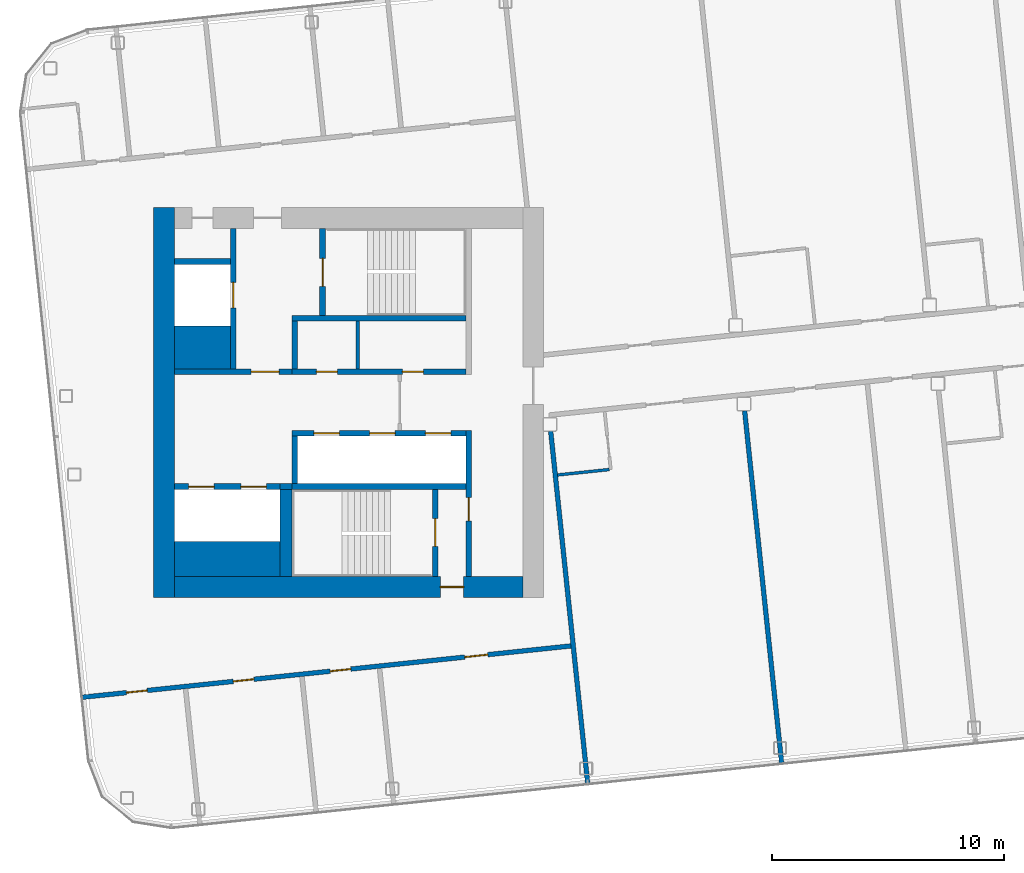
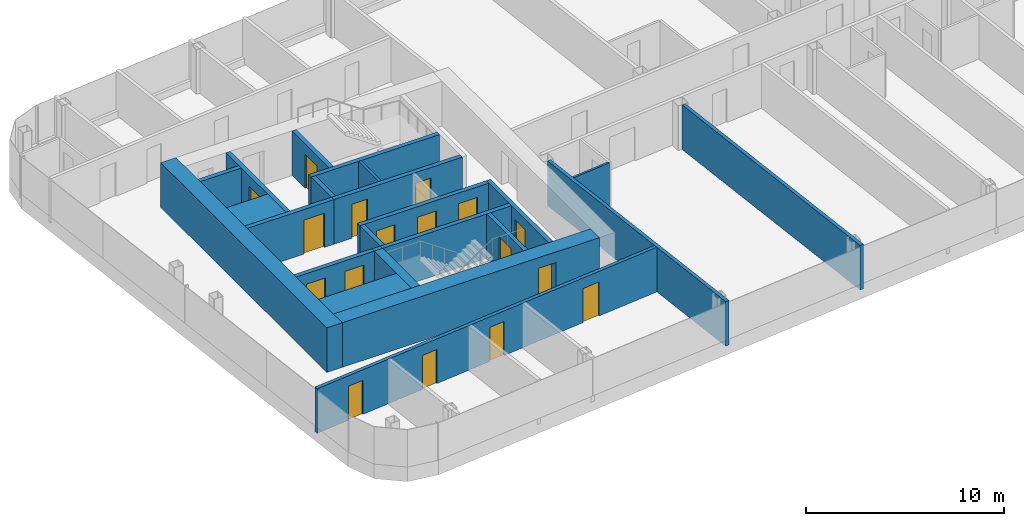
# One storey, part 14 of 27: 24 walls, 17 doors, 17 openings.
"""IFC4 building model written with IfcOpenShell, lengths in metres."""

from ifc_helpers import new_model, si_unit, direction, frame, frame_2d, origin, place, context, subcontext, project, spatial, rectangle, extrude, material, layer, layer_set, type_object, element, fill, save


model = new_model("IFC4")

# Units and contexts
model_context = context("Model", 3, precision=1e-05, world=origin(), true_north=direction((0.0, 1.0)))
body_context = subcontext(model_context, "Body", "Model", "MODEL_VIEW")
ifc_project = project(units=[si_unit("LENGTHUNIT", "METRE"), si_unit("AREAUNIT", "SQUARE_METRE"), si_unit("VOLUMEUNIT", "CUBIC_METRE"), si_unit("PLANEANGLEUNIT", "RADIAN"), si_unit("MASSUNIT", "GRAM", prefix="KILO")], contexts=[model_context])

# Site, building, storey
site_placement = place(None, origin())
site = spatial("IfcSite", under=ifc_project, at=site_placement, CompositionType="ELEMENT")
building_placement = place(site_placement, origin())
building = spatial("IfcBuilding", under=site, at=building_placement, Name="Hakoniwa Tower and Hamabe Station Hall", CompositionType="ELEMENT")
storey_placement = place(building_placement, frame((0.0, 0.0, 248.60009765625)))
storey = spatial("IfcBuildingStorey", under=building, at=storey_placement, Name="L70", CompositionType="ELEMENT", Elevation=248.60009765625)

# Walls
ifc_material_1 = material(Name="Gypsum board partition")
ifc_layer_1 = layer(ifc_material_1, 0.14990234375)
ifc_layer_set_1 = layer_set([ifc_layer_1], Name="CORE PARTITION 150 EI 60")
wall_type_1 = type_object("IfcWallType", Name="CORE PARTITION 150 EI 60", PredefinedType="PARTITIONING", material=ifc_layer_set_1)
wall_1_placement = place(storey_placement, frame((-24.800048828125, 1.449951171875, 0.0), z_axis=(0.0, 0.0, 1.0), x_axis=(0.0, 1.0, 0.0)))
element("IfcWall", 1, at=wall_1_placement, inside=storey, type_object=wall_type_1, Name="Core partition PFLR0 west", PredefinedType="PARTITIONING", context=body_context, shape_type="SweptSolid", body=[
    extrude(rectangle(XDim=2.050048828125, YDim=0.14990234375, at=frame_2d((1.02490234375, 0.0))), origin(), (0.0, 0.0, 1.0), 2.75),
])
ifc_material_2 = material(Name="Concrete C60", Category="concrete")
ifc_layer_2 = layer(ifc_material_2, 0.89990234375)
ifc_layer_set_2 = layer_set([ifc_layer_2], Name="CORE WALL 900 C60")
wall_type_2 = type_object("IfcWallType", Name="CORE WALL 900 C60", PredefinedType="SHEAR", material=ifc_layer_set_2)
wall_2_placement = place(storey_placement, frame((-33.14990234375, -8.39990234375, 0.0), z_axis=(0.0, 0.0, 1.0), x_axis=(0.0, 1.0, 0.0)))
element("IfcWall", 2, at=wall_2_placement, inside=storey, type_object=wall_type_2, Name="Core wall OUTER west", PredefinedType="SHEAR", context=body_context, shape_type="SweptSolid", body=[
    extrude(rectangle(XDim=16.7998046875, YDim=0.89990234375, at=frame_2d((8.39990234375, 0.0))), origin(), (0.0, 0.0, 1.0), 2.75),
])

# Wall, opening, door
wall_3_placement = place(storey_placement, frame((-32.699951171875, -7.949951171875, 0.0), z_axis=(0.0, 0.0, 1.0), x_axis=(1.0, 0.0, 0.0)))
wall_3 = element("IfcWall", 3, at=wall_3_placement, inside=storey, type_object=wall_type_2, Name="Core wall SOUTH west", PredefinedType="SHEAR", context=body_context, shape_type="SweptSolid", body=[
    extrude(rectangle(XDim=15.0, YDim=0.89990234375, at=frame_2d((7.5, 0.0))), origin(), (0.0, 0.0, 1.0), 2.75),
])
opening_1_placement = place(wall_3_placement, frame((11.449951171875, 0.0, 0.0)))
opening_1 = element("IfcOpeningElement", 4, at=opening_1_placement, cuts=wall_3, Name="Opening CD-W-FS3-10", PredefinedType="OPENING", context=body_context, shape_type="SweptSolid", body=[
    extrude(rectangle(XDim=1.0, YDim=2.10009765625, at=frame_2d((0.5, 1.050048828125))), frame((0.0, 0.4599609375, 0.0), z_axis=(0.0, -1.0, 0.0), x_axis=(1.0, 0.0, 0.0)), (0.0, 0.0, 1.0), 0.919921875),
])
ifc_material_3 = material(Name="Steel fire door", Category="steel")
door_type_1 = type_object("IfcDoorType", Name="CORE DOOR 1000 FD60", OperationType="NOTDEFINED", PredefinedType="DOOR", material=ifc_material_3)
door_1_placement = place(opening_1_placement, origin())
door_1 = element("IfcDoor", 5, at=door_1_placement, inside=storey, type_object=door_type_1, Name="Stair vestibule door", OperationType="SINGLE_SWING_RIGHT", OverallHeight=2.10009765625, OverallWidth=1.0, PredefinedType="DOOR", context=body_context, shape_type="SweptSolid", body=[
    extrude(rectangle(XDim=1.0, YDim=2.10009765625, at=frame_2d((0.5, 1.050048828125))), frame((0.0, 0.02490234375, 0.0), z_axis=(0.0, -1.0, 0.0), x_axis=(1.0, 0.0, 0.0)), (0.0, 0.0, 1.0), 0.050048828125),
])
fill(opening_1, door_1)

# Walls
ifc_material_4 = material(Name="Concrete C60", Category="concrete")
ifc_layer_3 = layer(ifc_material_4, 1.5)
ifc_layer_set_3 = layer_set([ifc_layer_3], Name="CORE WEB WALL 1500 C60")
wall_type_3 = type_object("IfcWallType", Name="CORE WEB WALL 1500 C60", PredefinedType="SHEAR", material=ifc_layer_set_3)
wall_4_placement = place(storey_placement, frame((-32.699951171875, -6.75, 0.0), z_axis=(0.0, 0.0, 1.0), x_axis=(1.0, 0.0, 0.0)))
element("IfcWall", 6, at=wall_4_placement, inside=storey, type_object=wall_type_3, Name="Core wall SER west", PredefinedType="SHEAR", context=body_context, shape_type="SweptSolid", body=[
    extrude(rectangle(XDim=4.550048828125, YDim=1.5, at=frame_2d((2.27490234375, 0.0))), origin(), (0.0, 0.0, 1.0), 2.75),
])
ifc_material_5 = material(Name="Concrete C60", Category="concrete")
ifc_layer_4 = layer(ifc_material_5, 1.85009765625)
ifc_layer_set_4 = layer_set([ifc_layer_4], Name="CORE WEB WALL 1850 C60")
wall_type_4 = type_object("IfcWallType", Name="CORE WEB WALL 1850 C60", PredefinedType="SHEAR", material=ifc_layer_set_4)
wall_5_placement = place(storey_placement, frame((-32.699951171875, 2.375, 0.0), z_axis=(0.0, 0.0, 1.0), x_axis=(1.0, 0.0, 0.0)))
element("IfcWall", 7, at=wall_5_placement, inside=storey, type_object=wall_type_4, Name="Core wall CA west", PredefinedType="SHEAR", context=body_context, shape_type="SweptSolid", body=[
    extrude(rectangle(XDim=2.39990234375, YDim=1.85009765625, at=frame_2d((1.199951171875, 0.0))), origin(), (0.0, 0.0, 1.0), 2.75),
])

# Wall, opening, door
ifc_material_6 = material(Name="Concrete C60", Category="concrete")
ifc_layer_5 = layer(ifc_material_6, 0.25)
ifc_layer_set_5 = layer_set([ifc_layer_5], Name="CORE WEB WALL 250 C60")
wall_type_5 = type_object("IfcWallType", Name="CORE WEB WALL 250 C60", PredefinedType="SHEAR", material=ifc_layer_set_5)
wall_6_placement = place(storey_placement, frame((-20.02490234375, -7.5, 0.0), z_axis=(0.0, 0.0, 1.0), x_axis=(0.0, 1.0, 0.0)))
wall_6 = element("IfcWall", 8, at=wall_6_placement, inside=storey, type_object=wall_type_5, Name="Core wall W1S west", PredefinedType="SHEAR", context=body_context, shape_type="SweptSolid", body=[
    extrude(rectangle(XDim=6.300048828125, YDim=0.25, at=frame_2d((3.14990234375, 0.0))), origin(), (0.0, 0.0, 1.0), 2.75),
])
opening_2_placement = place(wall_6_placement, frame((2.39990234375, 0.0, 0.0)))
opening_2 = element("IfcOpeningElement", 9, at=opening_2_placement, cuts=wall_6, Name="Opening CD-W-VS-10", PredefinedType="OPENING", context=body_context, shape_type="SweptSolid", body=[
    extrude(rectangle(XDim=1.0, YDim=2.10009765625, at=frame_2d((0.5, 1.050048828125))), frame((0.0, 0.135009765625, 0.0), z_axis=(0.0, -1.0, 0.0), x_axis=(1.0, 0.0, 0.0)), (0.0, 0.0, 1.0), 0.27001953125),
])
door_2_placement = place(opening_2_placement, origin())
door_2 = element("IfcDoor", 10, at=door_2_placement, inside=storey, type_object=door_type_1, Name="Stair vestibule door", OperationType="SINGLE_SWING_LEFT", OverallHeight=2.10009765625, OverallWidth=1.0, PredefinedType="DOOR", context=body_context, shape_type="SweptSolid", body=[
    extrude(rectangle(XDim=1.0, YDim=2.10009765625, at=frame_2d((0.5, 1.050048828125))), frame((0.0, 0.02490234375, 0.0), z_axis=(0.0, -1.0, 0.0), x_axis=(1.0, 0.0, 0.0)), (0.0, 0.0, 1.0), 0.050048828125),
])
fill(opening_2, door_2)

# Wall, openings, doors
wall_7_placement = place(storey_placement, frame((-27.64990234375, 1.324951171875, 0.0), z_axis=(0.0, 0.0, 1.0), x_axis=(1.0, 0.0, 0.0)))
wall_7 = element("IfcWall", 11, at=wall_7_placement, inside=storey, type_object=wall_type_5, Name="Core wall NF west", PredefinedType="SHEAR", context=body_context, shape_type="SweptSolid", body=[
    extrude(rectangle(XDim=7.5, YDim=0.25, at=frame_2d((3.75, 0.0))), origin(), (0.0, 0.0, 1.0), 2.75),
])
opening_3_placement = place(wall_7_placement, frame((4.762451171875, 0.0, 0.0)))
opening_3 = element("IfcOpeningElement", 12, at=opening_3_placement, cuts=wall_7, Name="Opening CD-W-FRLR0-9", PredefinedType="OPENING", context=body_context, shape_type="SweptSolid", body=[
    extrude(rectangle(XDim=0.89990234375, YDim=2.10009765625, at=frame_2d((0.449951171875, 1.050048828125))), frame((0.0, 0.135009765625, 0.0), z_axis=(0.0, -1.0, 0.0), x_axis=(1.0, 0.0, 0.0)), (0.0, 0.0, 1.0), 0.27001953125),
])
opening_4_placement = place(wall_7_placement, frame((1.0625, 0.0, 0.0)))
opening_4 = element("IfcOpeningElement", 13, at=opening_4_placement, cuts=wall_7, Name="Opening CD-W-FRLR1-9", PredefinedType="OPENING", context=body_context, shape_type="SweptSolid", body=[
    extrude(rectangle(XDim=0.89990234375, YDim=2.10009765625, at=frame_2d((0.449951171875, 1.050048828125))), frame((0.0, 0.135009765625, 0.0), z_axis=(0.0, -1.0, 0.0), x_axis=(1.0, 0.0, 0.0)), (0.0, 0.0, 1.0), 0.27001953125),
])
ifc_material_7 = material(Name="Steel fire door", Category="steel")
door_type_2 = type_object("IfcDoorType", Name="CORE DOOR 900 FD30", OperationType="NOTDEFINED", PredefinedType="DOOR", material=ifc_material_7)
door_3_placement = place(opening_3_placement, origin())
door_3 = element("IfcDoor", 14, at=door_3_placement, inside=storey, type_object=door_type_2, Name="Store room door", OperationType="SINGLE_SWING_LEFT", OverallHeight=2.10009765625, OverallWidth=0.89990234375, PredefinedType="DOOR", context=body_context, shape_type="SweptSolid", body=[
    extrude(rectangle(XDim=0.89990234375, YDim=2.10009765625, at=frame_2d((0.449951171875, 1.050048828125))), frame((0.0, 0.02490234375, 0.0), z_axis=(0.0, -1.0, 0.0), x_axis=(1.0, 0.0, 0.0)), (0.0, 0.0, 1.0), 0.050048828125),
])
fill(opening_3, door_3)
door_4_placement = place(opening_4_placement, origin())
door_4 = element("IfcDoor", 15, at=door_4_placement, inside=storey, type_object=door_type_2, Name="Store room door", OperationType="SINGLE_SWING_RIGHT", OverallHeight=2.10009765625, OverallWidth=0.89990234375, PredefinedType="DOOR", context=body_context, shape_type="SweptSolid", body=[
    extrude(rectangle(XDim=0.89990234375, YDim=2.10009765625, at=frame_2d((0.449951171875, 1.050048828125))), frame((0.0, 0.02490234375, 0.0), z_axis=(0.0, -1.0, 0.0), x_axis=(1.0, 0.0, 0.0)), (0.0, 0.0, 1.0), 0.050048828125),
])
fill(opening_4, door_4)

# Walls
wall_8_placement = place(storey_placement, frame((-27.52490234375, 1.449951171875, 0.0), z_axis=(0.0, 0.0, 1.0), x_axis=(0.0, 1.0, 0.0)))
element("IfcWall", 16, at=wall_8_placement, inside=storey, type_object=wall_type_5, Name="Core wall NE west", PredefinedType="SHEAR", context=body_context, shape_type="SweptSolid", body=[
    extrude(rectangle(XDim=2.050048828125, YDim=0.25, at=frame_2d((1.02490234375, 0.0))), origin(), (0.0, 0.0, 1.0), 2.75),
])
wall_9_placement = place(storey_placement, frame((-27.64990234375, 3.625, 0.0), z_axis=(0.0, 0.0, 1.0), x_axis=(1.0, 0.0, 0.0)))
element("IfcWall", 17, at=wall_9_placement, inside=storey, type_object=wall_type_5, Name="Core wall NR west", PredefinedType="SHEAR", context=body_context, shape_type="SweptSolid", body=[
    extrude(rectangle(XDim=7.5, YDim=0.25, at=frame_2d((3.75, 0.0))), origin(), (0.0, 0.0, 1.0), 2.75),
])

# Wall, opening, door
wall_10_placement = place(storey_placement, frame((-26.324951171875, 3.75, 0.0), z_axis=(0.0, 0.0, 1.0), x_axis=(0.0, 1.0, 0.0)))
wall_10 = element("IfcWall", 18, at=wall_10_placement, inside=storey, type_object=wall_type_5, Name="Core wall NSE west", PredefinedType="SHEAR", context=body_context, shape_type="SweptSolid", body=[
    extrude(rectangle(XDim=3.75, YDim=0.25, at=frame_2d((1.875, 0.0))), origin(), (0.0, 0.0, 1.0), 2.75),
])
opening_5_placement = place(wall_10_placement, frame((1.25, 0.0, 0.0)))
opening_5 = element("IfcOpeningElement", 19, at=opening_5_placement, cuts=wall_10, Name="Opening CD-W-SN-12", PredefinedType="OPENING", context=body_context, shape_type="SweptSolid", body=[
    extrude(rectangle(XDim=1.199951171875, YDim=2.10009765625, at=frame_2d((0.60009765625, 1.050048828125))), frame((0.0, 0.135009765625, 0.0), z_axis=(0.0, -1.0, 0.0), x_axis=(1.0, 0.0, 0.0)), (0.0, 0.0, 1.0), 0.27001953125),
])
ifc_material_8 = material(Name="Steel fire door", Category="steel")
door_type_3 = type_object("IfcDoorType", Name="CORE DOOR 1200 FD60", OperationType="DOUBLE_DOOR_SINGLE_SWING", PredefinedType="DOOR", material=ifc_material_8)
door_5_placement = place(opening_5_placement, origin())
door_5 = element("IfcDoor", 20, at=door_5_placement, inside=storey, type_object=door_type_3, Name="Escape stair door", OperationType="DOUBLE_DOOR_SINGLE_SWING", OverallHeight=2.10009765625, OverallWidth=1.199951171875, PredefinedType="DOOR", context=body_context, shape_type="SweptSolid", body=[
    extrude(rectangle(XDim=1.199951171875, YDim=2.10009765625, at=frame_2d((0.60009765625, 1.050048828125))), frame((0.0, 0.02490234375, 0.0), z_axis=(0.0, -1.0, 0.0), x_axis=(1.0, 0.0, 0.0)), (0.0, 0.0, 1.0), 0.050048828125),
])
fill(opening_5, door_5)

wall_11_placement = place(storey_placement, frame((-32.699951171875, 1.324951171875, 0.0), z_axis=(0.0, 0.0, 1.0), x_axis=(1.0, 0.0, 0.0)))
wall_11 = element("IfcWall", 21, at=wall_11_placement, inside=storey, type_object=wall_type_5, Name="Core wall ELN west", PredefinedType="SHEAR", context=body_context, shape_type="SweptSolid", body=[
    extrude(rectangle(XDim=5.050048828125, YDim=0.25, at=frame_2d((2.52490234375, 0.0))), origin(), (0.0, 0.0, 1.0), 2.75),
])
opening_6_placement = place(wall_11_placement, frame((3.300048828125, 0.0, 0.0)))
opening_6 = element("IfcOpeningElement", 22, at=opening_6_placement, cuts=wall_11, Name="Opening CD-W-FL-12", PredefinedType="OPENING", context=body_context, shape_type="SweptSolid", body=[
    extrude(rectangle(XDim=1.199951171875, YDim=2.10009765625, at=frame_2d((0.60009765625, 1.050048828125))), frame((0.0, 0.135009765625, 0.0), z_axis=(0.0, -1.0, 0.0), x_axis=(1.0, 0.0, 0.0)), (0.0, 0.0, 1.0), 0.27001953125),
])
door_6_placement = place(opening_6_placement, origin())
door_6 = element("IfcDoor", 23, at=door_6_placement, inside=storey, type_object=door_type_3, Name="Stair vestibule door to the fire-fighting lobby", OperationType="DOUBLE_DOOR_SINGLE_SWING", OverallHeight=2.10009765625, OverallWidth=1.199951171875, PredefinedType="DOOR", context=body_context, shape_type="SweptSolid", body=[
    extrude(rectangle(XDim=1.199951171875, YDim=2.10009765625, at=frame_2d((0.60009765625, 1.050048828125))), frame((0.0, 0.02490234375, 0.0), z_axis=(0.0, -1.0, 0.0), x_axis=(1.0, 0.0, 0.0)), (0.0, 0.0, 1.0), 0.050048828125),
])
fill(opening_6, door_6)

wall_12_placement = place(storey_placement, frame((-30.175048828125, 1.449951171875, 0.0), z_axis=(0.0, 0.0, 1.0), x_axis=(0.0, 1.0, 0.0)))
wall_12 = element("IfcWall", 24, at=wall_12_placement, inside=storey, type_object=wall_type_5, Name="Core wall FFF west", PredefinedType="SHEAR", context=body_context, shape_type="SweptSolid", body=[
    extrude(rectangle(XDim=6.050048828125, YDim=0.25, at=frame_2d((3.02490234375, 0.0))), origin(), (0.0, 0.0, 1.0), 2.75),
])
opening_7_placement = place(wall_12_placement, frame((2.625, 0.0, 0.0)))
opening_7 = element("IfcOpeningElement", 25, at=opening_7_placement, cuts=wall_12, Name="Opening LD-FF1", PredefinedType="OPENING", context=body_context, shape_type="SweptSolid", body=[
    extrude(rectangle(XDim=1.10009765625, YDim=2.10009765625, at=frame_2d((0.550048828125, 1.050048828125))), frame((0.0, 0.135009765625, 0.0), z_axis=(0.0, -1.0, 0.0), x_axis=(1.0, 0.0, 0.0)), (0.0, 0.0, 1.0), 0.27001953125),
])
ifc_material_9 = material(Name="Stainless steel SUS304", Category="steel")
door_type_4 = type_object("IfcDoorType", Name="LIFT LANDING DOOR 1100 FD60", OperationType="DOUBLE_DOOR_SLIDING", PredefinedType="DOOR", material=ifc_material_9)
door_7_placement = place(opening_7_placement, origin())
door_7 = element("IfcDoor", 26, at=door_7_placement, inside=storey, type_object=door_type_4, Name="Lift landing door FF1 L70", OperationType="DOUBLE_DOOR_SLIDING", OverallHeight=2.10009765625, OverallWidth=1.10009765625, PredefinedType="DOOR", context=body_context, shape_type="SweptSolid", body=[
    extrude(rectangle(XDim=1.10009765625, YDim=2.10009765625, at=frame_2d((0.550048828125, 1.050048828125))), frame((0.0, 0.02490234375, 0.0), z_axis=(0.0, -1.0, 0.0), x_axis=(1.0, 0.0, 0.0)), (0.0, 0.0, 1.0), 0.050048828125),
])
fill(opening_7, door_7)

# Wall
wall_13_placement = place(storey_placement, frame((-32.699951171875, 6.074951171875, 0.0), z_axis=(0.0, 0.0, 1.0), x_axis=(1.0, 0.0, 0.0)))
element("IfcWall", 27, at=wall_13_placement, inside=storey, type_object=wall_type_5, Name="Core wall C2 west", PredefinedType="SHEAR", context=body_context, shape_type="SweptSolid", body=[
    extrude(rectangle(XDim=2.39990234375, YDim=0.25, at=frame_2d((1.199951171875, 0.0))), origin(), (0.0, 0.0, 1.0), 2.75),
])

# Wall, openings, doors
wall_14_placement = place(storey_placement, frame((-27.64990234375, -1.324951171875, 0.0), z_axis=(0.0, 0.0, 1.0), x_axis=(1.0, 0.0, 0.0)))
wall_14 = element("IfcWall", 28, at=wall_14_placement, inside=storey, type_object=wall_type_5, Name="Core wall SF west", PredefinedType="SHEAR", context=body_context, shape_type="SweptSolid", body=[
    extrude(rectangle(XDim=7.5, YDim=0.25, at=frame_2d((3.75, 0.0))), origin(), (0.0, 0.0, 1.0), 2.75),
])
opening_8_placement = place(wall_14_placement, frame((5.75, 0.0, 0.0)))
opening_8 = element("IfcOpeningElement", 29, at=opening_8_placement, cuts=wall_14, Name="Opening LD-HR1", PredefinedType="OPENING", context=body_context, shape_type="SweptSolid", body=[
    extrude(rectangle(XDim=1.10009765625, YDim=2.10009765625, at=frame_2d((0.550048828125, 1.050048828125))), frame((0.0, 0.135009765625, 0.0), z_axis=(0.0, -1.0, 0.0), x_axis=(1.0, 0.0, 0.0)), (0.0, 0.0, 1.0), 0.27001953125),
])
opening_9_placement = place(wall_14_placement, frame((3.35009765625, 0.0, 0.0)))
opening_9 = element("IfcOpeningElement", 30, at=opening_9_placement, cuts=wall_14, Name="Opening LD-HR2", PredefinedType="OPENING", context=body_context, shape_type="SweptSolid", body=[
    extrude(rectangle(XDim=1.10009765625, YDim=2.10009765625, at=frame_2d((0.550048828125, 1.050048828125))), frame((0.0, 0.135009765625, 0.0), z_axis=(0.0, -1.0, 0.0), x_axis=(1.0, 0.0, 0.0)), (0.0, 0.0, 1.0), 0.27001953125),
])
opening_10_placement = place(wall_14_placement, frame((0.949951171875, 0.0, 0.0)))
opening_10 = element("IfcOpeningElement", 31, at=opening_10_placement, cuts=wall_14, Name="Opening LD-HR3", PredefinedType="OPENING", context=body_context, shape_type="SweptSolid", body=[
    extrude(rectangle(XDim=1.10009765625, YDim=2.10009765625, at=frame_2d((0.550048828125, 1.050048828125))), frame((0.0, 0.135009765625, 0.0), z_axis=(0.0, -1.0, 0.0), x_axis=(1.0, 0.0, 0.0)), (0.0, 0.0, 1.0), 0.27001953125),
])
door_8_placement = place(opening_8_placement, origin())
door_8 = element("IfcDoor", 32, at=door_8_placement, inside=storey, type_object=door_type_4, Name="Lift landing door HR1 L70", OperationType="DOUBLE_DOOR_SLIDING", OverallHeight=2.10009765625, OverallWidth=1.10009765625, PredefinedType="DOOR", context=body_context, shape_type="SweptSolid", body=[
    extrude(rectangle(XDim=1.10009765625, YDim=2.10009765625, at=frame_2d((0.550048828125, 1.050048828125))), frame((0.0, 0.02490234375, 0.0), z_axis=(0.0, -1.0, 0.0), x_axis=(1.0, 0.0, 0.0)), (0.0, 0.0, 1.0), 0.050048828125),
])
fill(opening_8, door_8)
door_9_placement = place(opening_9_placement, origin())
door_9 = element("IfcDoor", 33, at=door_9_placement, inside=storey, type_object=door_type_4, Name="Lift landing door HR2 L70", OperationType="DOUBLE_DOOR_SLIDING", OverallHeight=2.10009765625, OverallWidth=1.10009765625, PredefinedType="DOOR", context=body_context, shape_type="SweptSolid", body=[
    extrude(rectangle(XDim=1.10009765625, YDim=2.10009765625, at=frame_2d((0.550048828125, 1.050048828125))), frame((0.0, 0.02490234375, 0.0), z_axis=(0.0, -1.0, 0.0), x_axis=(1.0, 0.0, 0.0)), (0.0, 0.0, 1.0), 0.050048828125),
])
fill(opening_9, door_9)
door_10_placement = place(opening_10_placement, origin())
door_10 = element("IfcDoor", 34, at=door_10_placement, inside=storey, type_object=door_type_4, Name="Lift landing door HR3 L70", OperationType="DOUBLE_DOOR_SLIDING", OverallHeight=2.10009765625, OverallWidth=1.10009765625, PredefinedType="DOOR", context=body_context, shape_type="SweptSolid", body=[
    extrude(rectangle(XDim=1.10009765625, YDim=2.10009765625, at=frame_2d((0.550048828125, 1.050048828125))), frame((0.0, 0.02490234375, 0.0), z_axis=(0.0, -1.0, 0.0), x_axis=(1.0, 0.0, 0.0)), (0.0, 0.0, 1.0), 0.050048828125),
])
fill(opening_10, door_10)

# Walls
wall_15_placement = place(storey_placement, frame((-27.52490234375, -3.5, 0.0), z_axis=(0.0, 0.0, 1.0), x_axis=(0.0, 1.0, 0.0)))
element("IfcWall", 35, at=wall_15_placement, inside=storey, type_object=wall_type_5, Name="Core wall SE west", PredefinedType="SHEAR", context=body_context, shape_type="SweptSolid", body=[
    extrude(rectangle(XDim=2.050048828125, YDim=0.25, at=frame_2d((1.02490234375, 0.0))), origin(), (0.0, 0.0, 1.0), 2.75),
])
wall_16_placement = place(storey_placement, frame((-27.64990234375, -3.625, 0.0), z_axis=(0.0, 0.0, 1.0), x_axis=(1.0, 0.0, 0.0)))
element("IfcWall", 36, at=wall_16_placement, inside=storey, type_object=wall_type_5, Name="Core wall SR west", PredefinedType="SHEAR", context=body_context, shape_type="SweptSolid", body=[
    extrude(rectangle(XDim=7.5, YDim=0.25, at=frame_2d((3.75, 0.0))), origin(), (0.0, 0.0, 1.0), 2.75),
])

# Wall, opening, door
wall_17_placement = place(storey_placement, frame((-21.47509765625, -7.5, 0.0), z_axis=(0.0, 0.0, 1.0), x_axis=(0.0, 1.0, 0.0)))
wall_17 = element("IfcWall", 37, at=wall_17_placement, inside=storey, type_object=wall_type_5, Name="Core wall VE west", PredefinedType="SHEAR", context=body_context, shape_type="SweptSolid", body=[
    extrude(rectangle(XDim=3.75, YDim=0.25, at=frame_2d((1.875, 0.0))), origin(), (0.0, 0.0, 1.0), 2.75),
])
opening_11_placement = place(wall_17_placement, frame((1.300048828125, 0.0, 0.0)))
opening_11 = element("IfcOpeningElement", 38, at=opening_11_placement, cuts=wall_17, Name="Opening CD-W-SS-12", PredefinedType="OPENING", context=body_context, shape_type="SweptSolid", body=[
    extrude(rectangle(XDim=1.199951171875, YDim=2.10009765625, at=frame_2d((0.60009765625, 1.050048828125))), frame((0.0, 0.135009765625, 0.0), z_axis=(0.0, -1.0, 0.0), x_axis=(1.0, 0.0, 0.0)), (0.0, 0.0, 1.0), 0.27001953125),
])
door_11_placement = place(opening_11_placement, origin())
door_11 = element("IfcDoor", 39, at=door_11_placement, inside=storey, type_object=door_type_3, Name="Escape stair door", OperationType="DOUBLE_DOOR_SINGLE_SWING", OverallHeight=2.10009765625, OverallWidth=1.199951171875, PredefinedType="DOOR", context=body_context, shape_type="SweptSolid", body=[
    extrude(rectangle(XDim=1.199951171875, YDim=2.10009765625, at=frame_2d((0.60009765625, 1.050048828125))), frame((0.0, 0.02490234375, 0.0), z_axis=(0.0, -1.0, 0.0), x_axis=(1.0, 0.0, 0.0)), (0.0, 0.0, 1.0), 0.050048828125),
])
fill(opening_11, door_11)

# Wall, openings, doors
wall_18_placement = place(storey_placement, frame((-32.699951171875, -3.625, 0.0), z_axis=(0.0, 0.0, 1.0), x_axis=(1.0, 0.0, 0.0)))
wall_18 = element("IfcWall", 40, at=wall_18_placement, inside=storey, type_object=wall_type_5, Name="Core wall SEF west", PredefinedType="SHEAR", context=body_context, shape_type="SweptSolid", body=[
    extrude(rectangle(XDim=4.550048828125, YDim=0.25, at=frame_2d((2.27490234375, 0.0))), origin(), (0.0, 0.0, 1.0), 2.75),
])
opening_12_placement = place(wall_18_placement, frame((2.85009765625, 0.0, 0.0)))
opening_12 = element("IfcOpeningElement", 41, at=opening_12_placement, cuts=wall_18, Name="Opening LD-SV1", PredefinedType="OPENING", context=body_context, shape_type="SweptSolid", body=[
    extrude(rectangle(XDim=1.10009765625, YDim=2.10009765625, at=frame_2d((0.550048828125, 1.050048828125))), frame((0.0, 0.135009765625, 0.0), z_axis=(0.0, -1.0, 0.0), x_axis=(1.0, 0.0, 0.0)), (0.0, 0.0, 1.0), 0.27001953125),
])
opening_13_placement = place(wall_18_placement, frame((0.60009765625, 0.0, 0.0)))
opening_13 = element("IfcOpeningElement", 42, at=opening_13_placement, cuts=wall_18, Name="Opening LD-SV2", PredefinedType="OPENING", context=body_context, shape_type="SweptSolid", body=[
    extrude(rectangle(XDim=1.10009765625, YDim=2.10009765625, at=frame_2d((0.550048828125, 1.050048828125))), frame((0.0, 0.135009765625, 0.0), z_axis=(0.0, -1.0, 0.0), x_axis=(1.0, 0.0, 0.0)), (0.0, 0.0, 1.0), 0.27001953125),
])
door_12_placement = place(opening_12_placement, origin())
door_12 = element("IfcDoor", 43, at=door_12_placement, inside=storey, type_object=door_type_4, Name="Lift landing door SV1 L70", OperationType="DOUBLE_DOOR_SLIDING", OverallHeight=2.10009765625, OverallWidth=1.10009765625, PredefinedType="DOOR", context=body_context, shape_type="SweptSolid", body=[
    extrude(rectangle(XDim=1.10009765625, YDim=2.10009765625, at=frame_2d((0.550048828125, 1.050048828125))), frame((0.0, 0.02490234375, 0.0), z_axis=(0.0, -1.0, 0.0), x_axis=(1.0, 0.0, 0.0)), (0.0, 0.0, 1.0), 0.050048828125),
])
fill(opening_12, door_12)
door_13_placement = place(opening_13_placement, origin())
door_13 = element("IfcDoor", 44, at=door_13_placement, inside=storey, type_object=door_type_4, Name="Lift landing door SV2 L70", OperationType="DOUBLE_DOOR_SLIDING", OverallHeight=2.10009765625, OverallWidth=1.10009765625, PredefinedType="DOOR", context=body_context, shape_type="SweptSolid", body=[
    extrude(rectangle(XDim=1.10009765625, YDim=2.10009765625, at=frame_2d((0.550048828125, 1.050048828125))), frame((0.0, 0.02490234375, 0.0), z_axis=(0.0, -1.0, 0.0), x_axis=(1.0, 0.0, 0.0)), (0.0, 0.0, 1.0), 0.050048828125),
])
fill(opening_13, door_13)

# Walls
wall_19_placement = place(storey_placement, frame((-28.14990234375, -3.625, 0.0), z_axis=(0.0, 0.0, 1.0), x_axis=(1.0, 0.0, 0.0)))
element("IfcWall", 45, at=wall_19_placement, inside=storey, type_object=wall_type_5, Name="Core wall SRK west", PredefinedType="SHEAR", context=body_context, shape_type="SweptSolid", body=[
    extrude(rectangle(XDim=0.5, YDim=0.25, at=frame_2d((0.25, 0.0))), origin(), (0.0, 0.0, 1.0), 2.75),
])
ifc_material_10 = material(Name="Concrete C60", Category="concrete")
ifc_layer_6 = layer(ifc_material_10, 0.5)
ifc_layer_set_6 = layer_set([ifc_layer_6], Name="CORE WEB WALL 500 C60")
wall_type_6 = type_object("IfcWallType", Name="CORE WEB WALL 500 C60", PredefinedType="SHEAR", material=ifc_layer_set_6)
wall_20_placement = place(storey_placement, frame((-27.89990234375, -7.5, 0.0), z_axis=(0.0, 0.0, 1.0), x_axis=(0.0, 1.0, 0.0)))
element("IfcWall", 46, at=wall_20_placement, inside=storey, type_object=wall_type_6, Name="Core wall SSE west", PredefinedType="SHEAR", context=body_context, shape_type="SweptSolid", body=[
    extrude(rectangle(XDim=3.75, YDim=0.5, at=frame_2d((1.875, 0.0))), origin(), (0.0, 0.0, 1.0), 2.75),
])

# Wall, openings, doors
ifc_material_11 = material(Name="Fire-rated gypsum board partition", Category="gypsum")
ifc_layer_7 = layer(ifc_material_11, 0.199951171875)
ifc_layer_set_7 = layer_set([ifc_layer_7], Name="Corridor Wall 200")
wall_type_7 = type_object("IfcWallType", Name="Corridor Wall 200", PredefinedType="PARTITIONING", material=ifc_layer_set_7)
wall_21_placement = place(storey_placement, frame((-36.711669921875, -12.704833984375, 0.0), z_axis=(0.0, 0.0, 1.0), x_axis=(0.994522460242, 0.104523088709, 0.0)))
wall_21 = element("IfcWall", 47, at=wall_21_placement, inside=storey, type_object=wall_type_7, Name="GW-L70-002", PredefinedType="PARTITIONING", context=body_context, shape_type="SweptSolid", body=[
    extrude(rectangle(XDim=21.2998046875, YDim=0.199951171875, at=frame_2d((10.64990234375, 0.0))), origin(), (0.0, 0.0, 1.0), 2.75),
])
opening_14_placement = place(wall_21_placement, frame((1.949951171875, 0.0, 0.0)))
opening_14 = element("IfcOpeningElement", 48, at=opening_14_placement, cuts=wall_21, Name="Opening GD-G5D0-01", PredefinedType="OPENING", context=body_context, shape_type="SweptSolid", body=[
    extrude(rectangle(XDim=0.89990234375, YDim=2.10009765625, at=frame_2d((0.449951171875, 1.050048828125))), frame((0.0, 0.10986328125, 0.0), z_axis=(0.0, -1.0, 0.0), x_axis=(1.0, 0.0, 0.0)), (0.0, 0.0, 1.0), 0.219970703125),
])
opening_15_placement = place(wall_21_placement, frame((6.570068359375, 0.0, 0.0)))
opening_15 = element("IfcOpeningElement", 49, at=opening_15_placement, cuts=wall_21, Name="Opening GD-G5D0-02", PredefinedType="OPENING", context=body_context, shape_type="SweptSolid", body=[
    extrude(rectangle(XDim=0.89990234375, YDim=2.10009765625, at=frame_2d((0.449951171875, 1.050048828125))), frame((0.0, 0.10986328125, 0.0), z_axis=(0.0, -1.0, 0.0), x_axis=(1.0, 0.0, 0.0)), (0.0, 0.0, 1.0), 0.219970703125),
])
opening_16_placement = place(wall_21_placement, frame((10.77001953125, 0.0, 0.0)))
opening_16 = element("IfcOpeningElement", 50, at=opening_16_placement, cuts=wall_21, Name="Opening GD-G5D0-03", PredefinedType="OPENING", context=body_context, shape_type="SweptSolid", body=[
    extrude(rectangle(XDim=0.89990234375, YDim=2.10009765625, at=frame_2d((0.449951171875, 1.050048828125))), frame((0.0, 0.10986328125, 0.0), z_axis=(0.0, -1.0, 0.0), x_axis=(1.0, 0.0, 0.0)), (0.0, 0.0, 1.0), 0.219970703125),
])
opening_17_placement = place(wall_21_placement, frame((16.60009765625, 0.0, 0.0)))
opening_17 = element("IfcOpeningElement", 51, at=opening_17_placement, cuts=wall_21, Name="Opening GD-G5D0-04", PredefinedType="OPENING", context=body_context, shape_type="SweptSolid", body=[
    extrude(rectangle(XDim=1.0, YDim=2.10009765625, at=frame_2d((0.5, 1.050048828125))), frame((0.0, 0.10986328125, 0.0), z_axis=(0.0, -1.0, 0.0), x_axis=(1.0, 0.0, 0.0)), (0.0, 0.0, 1.0), 0.219970703125),
])
ifc_material_12 = material(Name="Timber door leaf", Category="wood")
door_type_5 = type_object("IfcDoorType", Name="Guest Entrance Door 1000", OperationType="SINGLE_SWING_LEFT", PredefinedType="DOOR", material=ifc_material_12)
door_14_placement = place(opening_17_placement, origin())
door_14 = element("IfcDoor", 52, at=door_14_placement, inside=storey, type_object=door_type_5, Name="Door GD-G5D0-04", OperationType="SINGLE_SWING_LEFT", OverallHeight=2.10009765625, OverallWidth=1.0, PredefinedType="DOOR", context=body_context, shape_type="SweptSolid", body=[
    extrude(rectangle(XDim=1.0, YDim=2.10009765625, at=frame_2d((0.5, 1.050048828125))), frame((0.0, 0.02490234375, 0.0), z_axis=(0.0, -1.0, 0.0), x_axis=(1.0, 0.0, 0.0)), (0.0, 0.0, 1.0), 0.050048828125),
])
fill(opening_17, door_14)
ifc_material_13 = material(Name="Timber door leaf", Category="wood")
door_type_6 = type_object("IfcDoorType", Name="Service Door 900", OperationType="SINGLE_SWING_LEFT", PredefinedType="DOOR", material=ifc_material_13)
door_15_placement = place(opening_14_placement, origin())
door_15 = element("IfcDoor", 53, at=door_15_placement, inside=storey, type_object=door_type_6, Name="Door GD-G5D0-01", OperationType="SINGLE_SWING_RIGHT", OverallHeight=2.10009765625, OverallWidth=0.89990234375, PredefinedType="DOOR", context=body_context, shape_type="SweptSolid", body=[
    extrude(rectangle(XDim=0.89990234375, YDim=2.10009765625, at=frame_2d((0.449951171875, 1.050048828125))), frame((0.0, 0.02490234375, 0.0), z_axis=(0.0, -1.0, 0.0), x_axis=(1.0, 0.0, 0.0)), (0.0, 0.0, 1.0), 0.050048828125),
])
fill(opening_14, door_15)
door_16_placement = place(opening_15_placement, origin())
door_16 = element("IfcDoor", 54, at=door_16_placement, inside=storey, type_object=door_type_6, Name="Door GD-G5D0-02", OperationType="SINGLE_SWING_LEFT", OverallHeight=2.10009765625, OverallWidth=0.89990234375, PredefinedType="DOOR", context=body_context, shape_type="SweptSolid", body=[
    extrude(rectangle(XDim=0.89990234375, YDim=2.10009765625, at=frame_2d((0.449951171875, 1.050048828125))), frame((0.0, 0.02490234375, 0.0), z_axis=(0.0, -1.0, 0.0), x_axis=(1.0, 0.0, 0.0)), (0.0, 0.0, 1.0), 0.050048828125),
])
fill(opening_15, door_16)
door_17_placement = place(opening_16_placement, origin())
door_17 = element("IfcDoor", 55, at=door_17_placement, inside=storey, type_object=door_type_6, Name="Door GD-G5D0-03", OperationType="SINGLE_SWING_RIGHT", OverallHeight=2.10009765625, OverallWidth=0.89990234375, PredefinedType="DOOR", context=body_context, shape_type="SweptSolid", body=[
    extrude(rectangle(XDim=0.89990234375, YDim=2.10009765625, at=frame_2d((0.449951171875, 1.050048828125))), frame((0.0, 0.02490234375, 0.0), z_axis=(0.0, -1.0, 0.0), x_axis=(1.0, 0.0, 0.0)), (0.0, 0.0, 1.0), 0.050048828125),
])
fill(opening_16, door_17)

# Walls
ifc_material_14 = material(Name="Fire-rated gypsum board partition", Category="gypsum")
ifc_layer_8 = layer(ifc_material_14, 0.199951171875)
ifc_layer_set_8 = layer_set([ifc_layer_8], Name="Party Wall 200")
wall_type_8 = type_object("IfcWallType", Name="Party Wall 200", PredefinedType="PARTITIONING", material=ifc_layer_set_8)
for number, where, z_axis, x_axis, name in (
    (56, (-14.899658203125, -16.46142578125, 0.0), (0.0, 0.0, 1.0), (-0.104523729364, 0.99452239291, 0.0), "GW-L70-024"),
    (57, (-6.545654296875, -15.583251953125, 0.0), (0.0, 0.0, 1.0), (-0.104523729364, 0.99452239291, 0.0), "GW-L70-027"),
):
    element("IfcWall", number, at=place(storey_placement, frame(where, z_axis=z_axis, x_axis=x_axis)), inside=storey, type_object=wall_type_8, Name=name, PredefinedType="PARTITIONING", context=body_context, shape_type="SweptSolid", body=[
        extrude(rectangle(XDim=15.308349609375, YDim=0.199951171875, at=frame_2d((7.654296875, 0.0))), origin(), (0.0, 0.0, 1.0), 2.75),
    ])
ifc_material_15 = material(Name="Gypsum board partition", Category="gypsum")
ifc_layer_9 = layer(ifc_material_15, 0.125)
ifc_layer_set_9 = layer_set([ifc_layer_9], Name="Room Partition 125")
wall_type_9 = type_object("IfcWallType", Name="Room Partition 125", PredefinedType="PARTITIONING", material=ifc_layer_set_9)
wall_22_placement = place(storey_placement, frame((-16.200927734375, -3.124267578125, 0.0), z_axis=(0.0, 0.0, 1.0), x_axis=(0.99452218011, 0.104525754092, 0.0)))
element("IfcWall", 58, at=wall_22_placement, inside=storey, type_object=wall_type_9, Name="GW-L70-005", PredefinedType="PARTITIONING", context=body_context, shape_type="SweptSolid", body=[
    extrude(rectangle(XDim=2.237548828125, YDim=0.125, at=frame_2d((1.11865234375, 0.0))), origin(), (0.0, 0.0, 1.0), 2.75),
])

save(model, "model.ifc")
